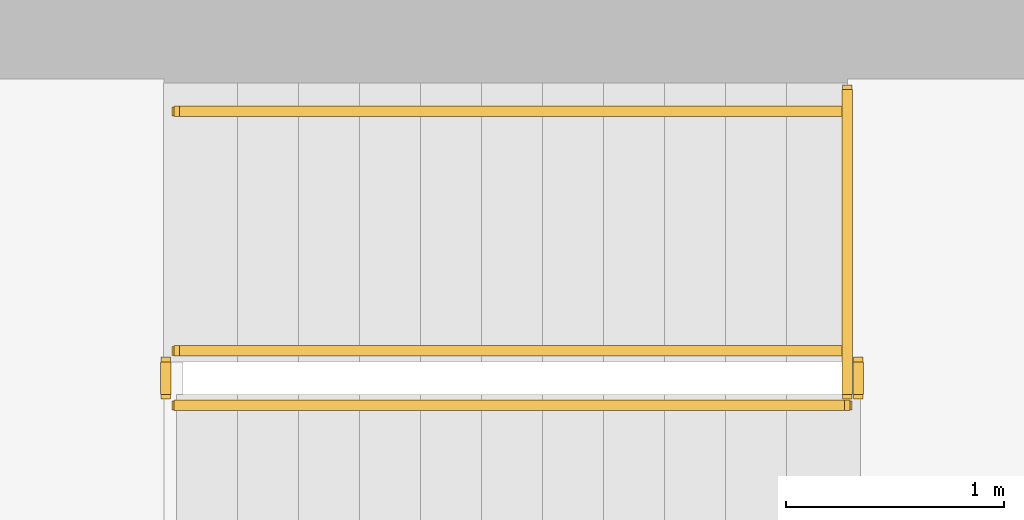
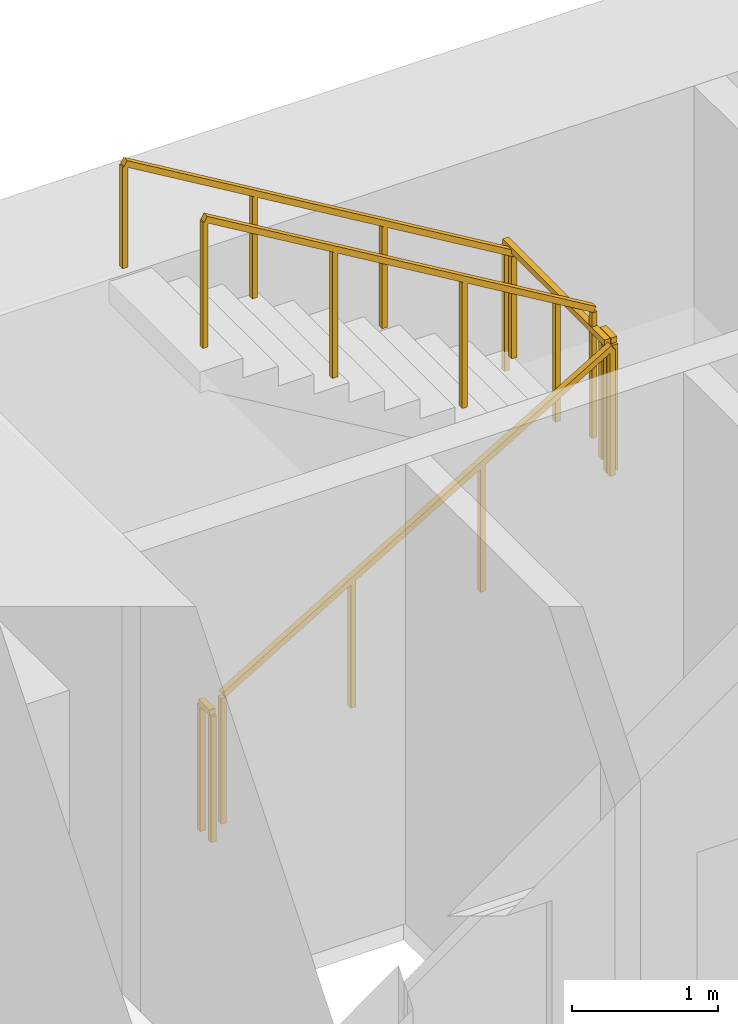
# One storey, part 15 of 16: 6 railings.
"""IFC4 building model written with IfcOpenShell, lengths in metres."""

from ifc_helpers import new_model, si_unit, direction, frame, origin, origin_2d, place, context, subcontext, project, spatial, rectangle, extrude, material, type_object, element, save


model = new_model("IFC4")

# Units and contexts
model_context = context("Model", 3, precision=1e-05, world=origin(), true_north=direction((0.0, 1.0)))
body_context = subcontext(model_context, "Body", "Model", "MODEL_VIEW")
ifc_project = project(units=[si_unit("LENGTHUNIT", "METRE"), si_unit("AREAUNIT", "SQUARE_METRE"), si_unit("VOLUMEUNIT", "CUBIC_METRE"), si_unit("PLANEANGLEUNIT", "RADIAN"), si_unit("MASSUNIT", "GRAM", prefix="KILO")], contexts=[model_context])

# Site, building, storey
site_placement = place(None, origin())
site = spatial("IfcSite", under=ifc_project, at=site_placement, CompositionType="ELEMENT")
building_placement = place(site_placement, origin())
building = spatial("IfcBuilding", under=site, at=building_placement, Name="Sennacour Bend Tower", CompositionType="ELEMENT")
storey_placement = place(building_placement, frame((0.0, 0.0, 83.0)))
storey = spatial("IfcBuildingStorey", under=building, at=storey_placement, Name="L18", CompositionType="ELEMENT", Elevation=83.0)

# Railings
ifc_material = material(Name="Stainless steel", Category="steel")
railing_type_1 = type_object("IfcRailingType", Name="RL-GUARD-1100", PredefinedType="GUARDRAIL", material=ifc_material)
railing_1_placement = place(storey_placement, frame((56.699951171875, 19.85009765625, 0.166748046875)))
element("IfcRailing", 1, at=railing_1_placement, inside=storey, type_object=railing_type_1, Name="L18 SA2 stair guard 1", PredefinedType="GUARDRAIL", context=body_context, shape_type="SweptSolid", body=[
    extrude(rectangle(XDim=0.048095703125, YDim=0.048095703125, at=origin_2d()), frame((0.0, 0.0, 1.076171875), z_axis=(0.859308565015, 0.0, 0.511457515432), x_axis=(0.0, 1.0, 0.0)), (0.0, 0.0, 1.0), 3.58447265625),
    extrude(rectangle(XDim=0.0419921875, YDim=0.0419921875, at=origin_2d()), origin(), (0.0, 0.0, 1.0), 1.052001953125),
    extrude(rectangle(XDim=0.0419921875, YDim=0.0419921875, at=origin_2d()), frame((1.026611328125, 0.0, 0.611083984375)), (0.0, 0.0, 1.0), 1.052001953125),
    extrude(rectangle(XDim=0.0419921875, YDim=0.0419921875, at=origin_2d()), frame((2.053466796875, 0.0, 1.22216796875)), (0.0, 0.0, 1.0), 1.052001953125),
    extrude(rectangle(XDim=0.0419921875, YDim=0.0419921875, at=origin_2d()), frame((3.080078125, 0.0, 1.833251953125)), (0.0, 0.0, 1.0), 1.052001953125),
])
railing_2_placement = place(storey_placement, frame((59.830078125, 19.89990234375, 2.0)))
element("IfcRailing", 2, at=railing_2_placement, inside=storey, type_object=railing_type_1, Name="L18 SA2 stair guard 2", PredefinedType="GUARDRAIL", context=body_context, shape_type="SweptSolid", body=[
    extrude(rectangle(XDim=0.048095703125, YDim=0.048095703125, at=origin_2d()), frame((0.0, 0.0, 1.076171875), z_axis=(0.0, 1.0, 0.0), x_axis=(-1.0, 0.0, 0.0)), (0.0, 0.0, 1.0), 0.150146484375),
    extrude(rectangle(XDim=0.0419921875, YDim=0.0419921875, at=origin_2d()), origin(), (0.0, 0.0, 1.0), 1.052001953125),
    extrude(rectangle(XDim=0.0419921875, YDim=0.0419921875, at=origin_2d()), frame((0.0, 0.150146484375, 0.0)), (0.0, 0.0, 1.0), 1.052001953125),
])
railing_3_placement = place(storey_placement, frame((59.780029296875, 20.10009765625, 2.166748046875)))
element("IfcRailing", 3, at=railing_3_placement, inside=storey, type_object=railing_type_1, Name="L18 SA2 stair guard 4", PredefinedType="GUARDRAIL", context=body_context, shape_type="SweptSolid", body=[
    extrude(rectangle(XDim=0.048095703125, YDim=0.048095703125, at=origin_2d()), frame((0.0, 0.0, 1.076171875), z_axis=(-0.859308565015, 0.0, 0.511457515432), x_axis=(0.0, -1.0, 0.0)), (0.0, 0.0, 1.0), 3.58447265625),
    extrude(rectangle(XDim=0.0419921875, YDim=0.0419921875, at=origin_2d()), origin(), (0.0, 0.0, 1.0), 1.052001953125),
    extrude(rectangle(XDim=0.0419921875, YDim=0.0419921875, at=origin_2d()), frame((-1.026611328125, 0.0, 0.611083984375)), (0.0, 0.0, 1.0), 1.052001953125),
    extrude(rectangle(XDim=0.0419921875, YDim=0.0419921875, at=origin_2d()), frame((-2.053466796875, 0.0, 1.22216796875)), (0.0, 0.0, 1.0), 1.052001953125),
    extrude(rectangle(XDim=0.0419921875, YDim=0.0419921875, at=origin_2d()), frame((-3.080078125, 0.0, 1.833251953125)), (0.0, 0.0, 1.0), 1.052001953125),
])
railing_4_placement = place(storey_placement, frame((56.64990234375, 19.89990234375, 0.0)))
element("IfcRailing", 4, at=railing_4_placement, inside=storey, type_object=railing_type_1, Name="L18 SA2 stair guard 5", PredefinedType="GUARDRAIL", context=body_context, shape_type="SweptSolid", body=[
    extrude(rectangle(XDim=0.048095703125, YDim=0.048095703125, at=origin_2d()), frame((0.0, 0.0, 1.076171875), z_axis=(0.0, 1.0, 0.0), x_axis=(-1.0, 0.0, 0.0)), (0.0, 0.0, 1.0), 0.150146484375),
    extrude(rectangle(XDim=0.0419921875, YDim=0.0419921875, at=origin_2d()), origin(), (0.0, 0.0, 1.0), 1.052001953125),
    extrude(rectangle(XDim=0.0419921875, YDim=0.0419921875, at=origin_2d()), frame((0.0, 0.150146484375, 0.0)), (0.0, 0.0, 1.0), 1.052001953125),
])
railing_5_placement = place(storey_placement, frame((59.780029296875, 19.89990234375, 2.0)))
element("IfcRailing", 5, at=railing_5_placement, inside=storey, type_object=railing_type_1, Name="L18 SA2 landing edge guard 31", PredefinedType="GUARDRAIL", context=body_context, shape_type="SweptSolid", body=[
    extrude(rectangle(XDim=0.048095703125, YDim=0.048095703125, at=origin_2d()), frame((0.0, 0.0, 1.076171875), z_axis=(0.0, 1.0, 0.0), x_axis=(-1.0, 0.0, 0.0)), (0.0, 0.0, 1.0), 1.400146484375),
    extrude(rectangle(XDim=0.0419921875, YDim=0.0419921875, at=origin_2d()), origin(), (0.0, 0.0, 1.0), 1.052001953125),
    extrude(rectangle(XDim=0.0419921875, YDim=0.0419921875, at=origin_2d()), frame((0.0, 0.7001953125, 0.0)), (0.0, 0.0, 1.0), 1.052001953125),
    extrude(rectangle(XDim=0.0419921875, YDim=0.0419921875, at=origin_2d()), frame((0.0, 1.400146484375, 0.0)), (0.0, 0.0, 1.0), 1.052001953125),
])
railing_type_2 = type_object("IfcRailingType", Name="RL-HANDRAIL-900", PredefinedType="HANDRAIL", material=ifc_material)
railing_6_placement = place(storey_placement, frame((59.780029296875, 21.199951171875, 2.166748046875)))
element("IfcRailing", 6, at=railing_6_placement, inside=storey, type_object=railing_type_2, Name="L18 SA2 stair handrail 2", PredefinedType="HANDRAIL", context=body_context, shape_type="SweptSolid", body=[
    extrude(rectangle(XDim=0.048095703125, YDim=0.048095703125, at=origin_2d()), frame((0.0, 0.0, 0.8759765625), z_axis=(-0.859308565015, 0.0, 0.511457515432), x_axis=(0.0, -1.0, 0.0)), (0.0, 0.0, 1.0), 3.58447265625),
    extrude(rectangle(XDim=0.0419921875, YDim=0.0419921875, at=origin_2d()), origin(), (0.0, 0.0, 1.0), 0.851806640625),
    extrude(rectangle(XDim=0.0419921875, YDim=0.0419921875, at=origin_2d()), frame((-1.026611328125, 0.0, 0.611083984375)), (0.0, 0.0, 1.0), 0.851806640625),
    extrude(rectangle(XDim=0.0419921875, YDim=0.0419921875, at=origin_2d()), frame((-2.053466796875, 0.0, 1.22216796875)), (0.0, 0.0, 1.0), 0.851806640625),
    extrude(rectangle(XDim=0.0419921875, YDim=0.0419921875, at=origin_2d()), frame((-3.080078125, 0.0, 1.833251953125)), (0.0, 0.0, 1.0), 0.851806640625),
])

save(model, "model.ifc")
